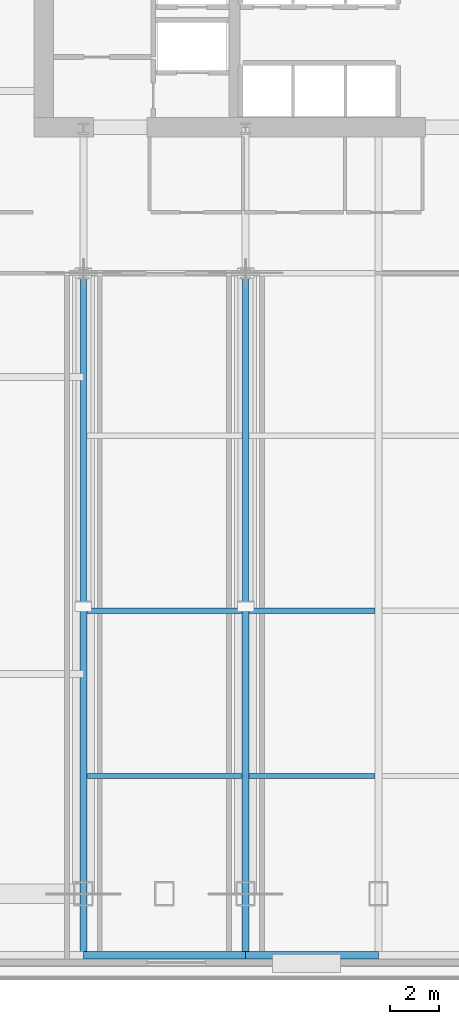
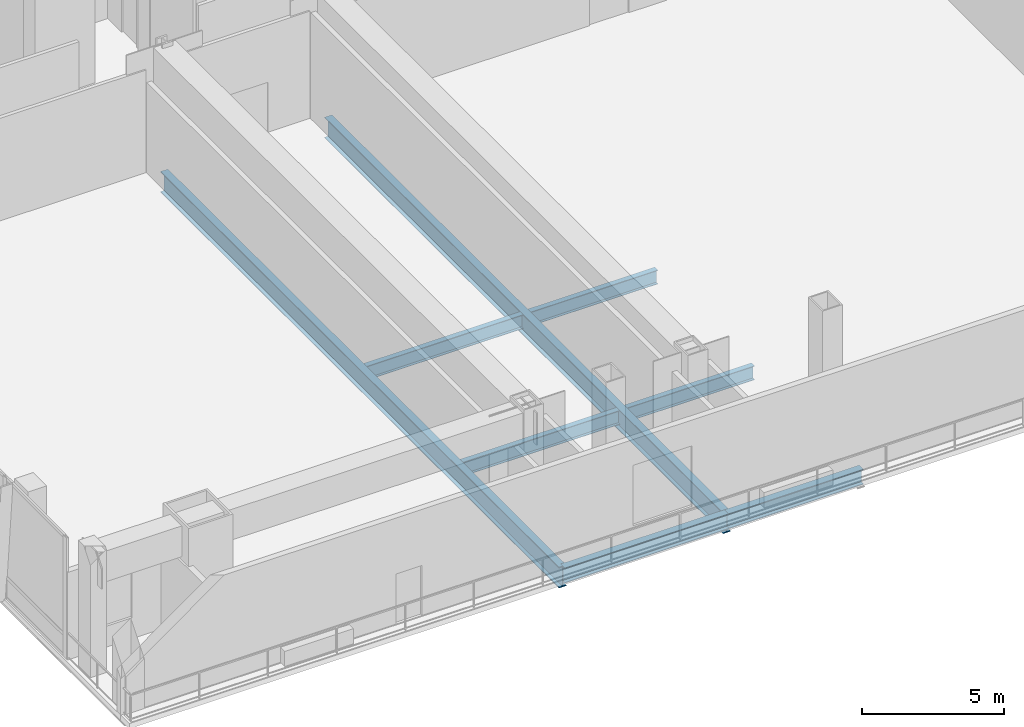
# One storey, part 7 of 26: 8 beams.
"""IFC4 building model written with IfcOpenShell, lengths in metres."""

from ifc_helpers import new_model, si_unit, direction, frame, origin, origin_2d, place, context, subcontext, project, spatial, i_section, extrude, material, material_profile, profile_set, type_object, element, save


model = new_model("IFC4")

# Units and contexts
model_context = context("Model", 3, precision=1e-05, world=origin(), true_north=direction((0.0, 1.0)))
body_context = subcontext(model_context, "Body", "Model", "MODEL_VIEW")
ifc_project = project(units=[si_unit("LENGTHUNIT", "METRE"), si_unit("AREAUNIT", "SQUARE_METRE"), si_unit("VOLUMEUNIT", "CUBIC_METRE"), si_unit("PLANEANGLEUNIT", "RADIAN"), si_unit("MASSUNIT", "GRAM", prefix="KILO")], contexts=[model_context])

# Site, building, storey
site_placement = place(None, origin())
site = spatial("IfcSite", under=ifc_project, at=site_placement, CompositionType="ELEMENT")
building_placement = place(site_placement, origin())
building = spatial("IfcBuilding", under=site, at=building_placement, Name="Khoronbel Lancet Exchange", CompositionType="ELEMENT")
storey_placement = place(building_placement, frame((0.0, 0.0, 20.39990234375)))
storey = spatial("IfcBuildingStorey", under=building, at=storey_placement, Name="L04", CompositionType="ELEMENT", Elevation=20.39990234375)

# Beams
ifc_material = material(Name="Steel S355", Category="steel")
ifc_material_profile_1 = material_profile(ifc_material, i_section(OverallWidth=0.300048828125, OverallDepth=0.89990234375, WebThickness=0.0185546875, FlangeThickness=0.034912109375, at=origin_2d()), Name="HEB 900")
ifc_profile_set_1 = profile_set([ifc_material_profile_1], Name="Steel S355")
beam_type_1 = type_object("IfcBeamType", Name="BM-BG1", PredefinedType="BEAM", material=ifc_profile_set_1)
for number, where, z_axis, x_axis, name in (
    (1, (18.22509765625, 7.6201171875, -0.669921875), (0.0, 1.0, 0.0), (-1.0, 0.0, 0.0), "Level L04 south primary girder GS1"),
    (2, (24.89990234375, 7.6201171875, -0.669921875), (0.0, 1.0, 0.0), (-1.0, 0.0, 0.0), "Level L04 south primary girder GS2"),
):
    element("IfcBeam", number, at=place(storey_placement, frame(where, z_axis=z_axis, x_axis=x_axis)), inside=storey, type_object=beam_type_1, Name=name, PredefinedType="BEAM", context=body_context, shape_type="SweptSolid", body=[
        extrude(i_section(OverallWidth=0.300048828125, OverallDepth=0.89990234375, WebThickness=0.0185546875, FlangeThickness=0.034912109375, at=origin_2d()), origin(), (0.0, 0.0, 1.0), 28.079833984375),
    ])
ifc_material_profile_2 = material_profile(ifc_material, i_section(OverallWidth=0.219970703125, OverallDepth=0.60009765625, WebThickness=0.011962890625, FlangeThickness=0.01904296875, at=origin_2d()), Name="IPE 600")
ifc_profile_set_2 = profile_set([ifc_material_profile_2], Name="Steel S355")
beam_type_2 = type_object("IfcBeamType", Name="BM-BJ1", PredefinedType="JOIST", material=ifc_profile_set_2)
beam_1_placement = place(storey_placement, frame((18.375, 15.0, -0.52001953125), z_axis=(1.0, 0.0, 0.0), x_axis=(0.0, 1.0, 0.0)))
element("IfcBeam", 3, at=beam_1_placement, inside=storey, type_object=beam_type_2, Name="Level L04 secondary composite joist J01", PredefinedType="JOIST", context=body_context, shape_type="SweptSolid", body=[
    extrude(i_section(OverallWidth=0.219970703125, OverallDepth=0.60009765625, WebThickness=0.011962890625, FlangeThickness=0.01904296875, at=origin_2d()), origin(), (0.0, 0.0, 1.0), 6.375),
])
beam_2_placement = place(storey_placement, frame((25.050048828125, 15.0, -0.52001953125), z_axis=(1.0, 0.0, 0.0), x_axis=(0.0, 1.0, 0.0)))
element("IfcBeam", 4, at=beam_2_placement, inside=storey, type_object=beam_type_2, Name="Level L04 secondary composite joist J02", PredefinedType="JOIST", context=body_context, shape_type="SweptSolid", body=[
    extrude(i_section(OverallWidth=0.219970703125, OverallDepth=0.60009765625, WebThickness=0.011962890625, FlangeThickness=0.01904296875, at=origin_2d()), origin(), (0.0, 0.0, 1.0), 5.175048828125),
])
beam_3_placement = place(storey_placement, frame((18.375, 21.800048828125, -0.52001953125), z_axis=(1.0, 0.0, 0.0), x_axis=(0.0, 1.0, 0.0)))
element("IfcBeam", 5, at=beam_3_placement, inside=storey, type_object=beam_type_2, Name="Level L04 secondary composite joist J06", PredefinedType="JOIST", context=body_context, shape_type="SweptSolid", body=[
    extrude(i_section(OverallWidth=0.219970703125, OverallDepth=0.60009765625, WebThickness=0.011962890625, FlangeThickness=0.01904296875, at=origin_2d()), origin(), (0.0, 0.0, 1.0), 6.375),
])
beam_4_placement = place(storey_placement, frame((25.050048828125, 21.800048828125, -0.52001953125), z_axis=(1.0, 0.0, 0.0), x_axis=(0.0, 1.0, 0.0)))
element("IfcBeam", 6, at=beam_4_placement, inside=storey, type_object=beam_type_2, Name="Level L04 secondary composite joist J07", PredefinedType="JOIST", context=body_context, shape_type="SweptSolid", body=[
    extrude(i_section(OverallWidth=0.219970703125, OverallDepth=0.60009765625, WebThickness=0.011962890625, FlangeThickness=0.01904296875, at=origin_2d()), origin(), (0.0, 0.0, 1.0), 5.175048828125),
])
ifc_material_profile_3 = material_profile(ifc_material, i_section(OverallWidth=0.300048828125, OverallDepth=0.64990234375, WebThickness=0.01611328125, FlangeThickness=0.031005859375, at=origin_2d()), Name="HEB 650")
ifc_profile_set_3 = profile_set([ifc_material_profile_3], Name="Steel S355")
beam_type_3 = type_object("IfcBeamType", Name="BM-BSP1", PredefinedType="SPANDREL", material=ifc_profile_set_3)
beam_5_placement = place(storey_placement, frame((18.22509765625, 7.6201171875, -0.544921875), z_axis=(1.0, 0.0, 0.0), x_axis=(0.0, 1.0, 0.0)))
element("IfcBeam", 7, at=beam_5_placement, inside=storey, type_object=beam_type_3, Name="Level L04 perimeter spandrel beam SP02", PredefinedType="SPANDREL", context=body_context, shape_type="SweptSolid", body=[
    extrude(i_section(OverallWidth=0.300048828125, OverallDepth=0.64990234375, WebThickness=0.01611328125, FlangeThickness=0.031005859375, at=origin_2d()), origin(), (0.0, 0.0, 1.0), 6.6748046875),
])
beam_6_placement = place(storey_placement, frame((24.89990234375, 7.6201171875, -0.544921875), z_axis=(1.0, 0.0, 0.0), x_axis=(0.0, 1.0, 0.0)))
element("IfcBeam", 8, at=beam_6_placement, inside=storey, type_object=beam_type_3, Name="Level L04 perimeter spandrel beam SP03", PredefinedType="SPANDREL", context=body_context, shape_type="SweptSolid", body=[
    extrude(i_section(OverallWidth=0.300048828125, OverallDepth=0.64990234375, WebThickness=0.01611328125, FlangeThickness=0.031005859375, at=origin_2d()), origin(), (0.0, 0.0, 1.0), 5.47509765625),
])

save(model, "model.ifc")
